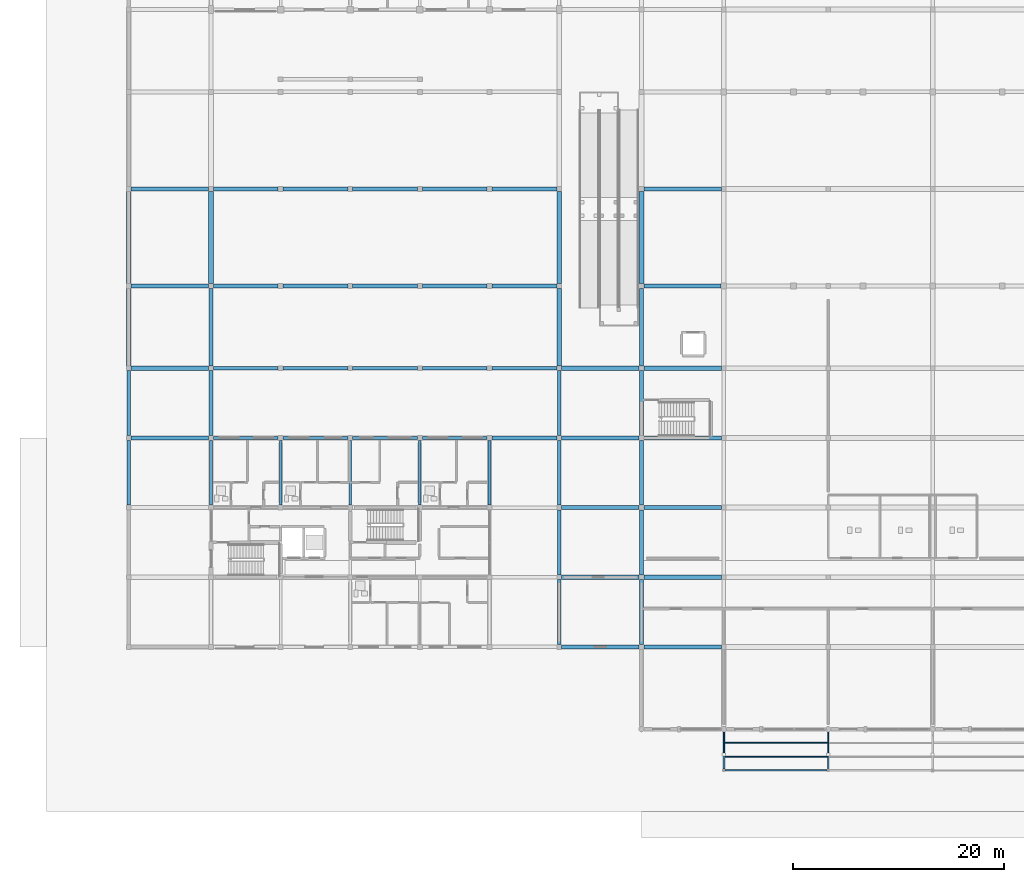
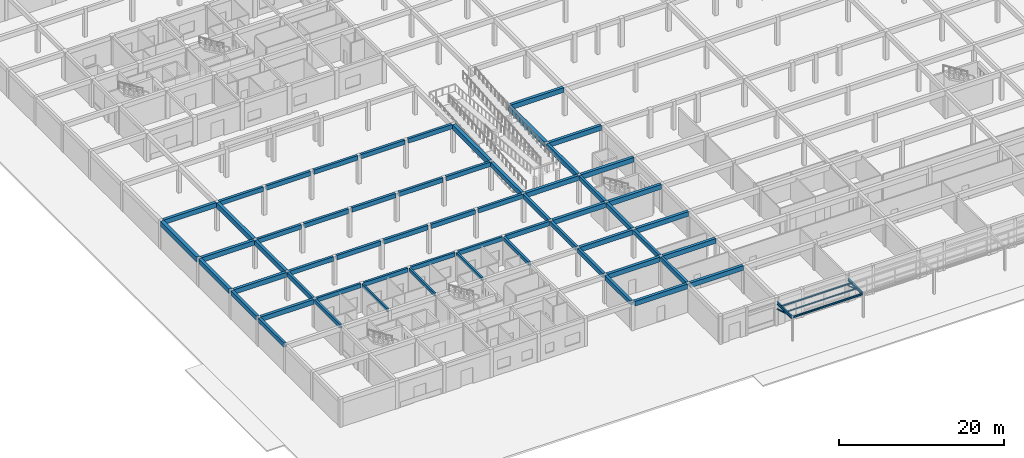
# One storey, part 16 of 75: 63 beams, 4 members.
"""IFC4 building model written with IfcOpenShell, lengths in metres."""

from ifc_helpers import new_model, si_unit, direction, frame, origin, origin_2d, place, context, subcontext, project, spatial, rectangle, hollow_circle, i_section, extrude, material, material_profile, profile_set, type_object, element, save


model = new_model("IFC4")

# Units and contexts
model_context = context("Model", 3, precision=1e-05, world=origin(), true_north=direction((0.0, 1.0)))
body_context = subcontext(model_context, "Body", "Model", "MODEL_VIEW")
ifc_project = project(units=[si_unit("LENGTHUNIT", "METRE"), si_unit("AREAUNIT", "SQUARE_METRE"), si_unit("VOLUMEUNIT", "CUBIC_METRE"), si_unit("PLANEANGLEUNIT", "RADIAN"), si_unit("MASSUNIT", "GRAM", prefix="KILO")], contexts=[model_context])

# Site, building, storey
site_placement = place(None, origin())
site = spatial("IfcSite", under=ifc_project, at=site_placement, CompositionType="ELEMENT")
building_placement = place(site_placement, origin())
building = spatial("IfcBuilding", under=site, at=building_placement, Name="Kernevlak Ridge Housing Community", CompositionType="ELEMENT")
storey_placement = place(building_placement, origin())
storey = spatial("IfcBuildingStorey", under=building, at=storey_placement, Name="L00", CompositionType="ELEMENT", Elevation=0.0)

# Beams
ifc_material_1 = material(Name="Concrete C35/45", Category="concrete")
ifc_material_profile_1 = material_profile(ifc_material_1, rectangle(XDim=0.39990234375, YDim=0.699951171875, at=origin_2d()), Name="RC 400x700")
ifc_profile_set_1 = profile_set([ifc_material_profile_1], Name="Concrete C35/45")
beam_type_1 = type_object("IfcBeamType", Name="B-01", PredefinedType="BEAM", material=ifc_profile_set_1)
for number, where, z_axis, x_axis, name in (
    (1, (48.824951171875, 15.60009765625, 3.85009765625), (1.0, 0.0, 0.0), (0.0, 1.0, 0.0), "Beam B-01 L00 2055"),
    (2, (56.625, 15.60009765625, 3.85009765625), (1.0, 0.0, 0.0), (0.0, 1.0, 0.0), "Beam B-01 L00 2056"),
    (3, (48.824951171875, 22.199951171875, 3.85009765625), (1.0, 0.0, 0.0), (0.0, 1.0, 0.0), "Beam B-01 L00 2068"),
    (4, (56.625, 22.199951171875, 3.85009765625), (1.0, 0.0, 0.0), (0.0, 1.0, 0.0), "Beam B-01 L00 2069"),
    (5, (48.824951171875, 28.800048828125, 3.85009765625), (1.0, 0.0, 0.0), (0.0, 1.0, 0.0), "Beam B-01 L00 2081"),
    (6, (56.625, 28.800048828125, 3.85009765625), (1.0, 0.0, 0.0), (0.0, 1.0, 0.0), "Beam B-01 L00 2082"),
    (7, (8.02490234375, 35.39990234375, 3.85009765625), (1.0, 0.0, 0.0), (0.0, 1.0, 0.0), "Beam B-01 L00 2092"),
    (8, (48.824951171875, 35.39990234375, 3.85009765625), (1.0, 0.0, 0.0), (0.0, 1.0, 0.0), "Beam B-01 L00 2094"),
    (9, (56.625, 35.39990234375, 3.85009765625), (1.0, 0.0, 0.0), (0.0, 1.0, 0.0), "Beam B-01 L00 2095"),
    (10, (8.02490234375, 42.0, 3.85009765625), (1.0, 0.0, 0.0), (0.0, 1.0, 0.0), "Beam B-01 L00 2105"),
    (11, (48.824951171875, 42.0, 3.85009765625), (1.0, 0.0, 0.0), (0.0, 1.0, 0.0), "Beam B-01 L00 2111"),
    (12, (56.625, 42.0, 3.85009765625), (1.0, 0.0, 0.0), (0.0, 1.0, 0.0), "Beam B-01 L00 2112"),
    (13, (8.02490234375, 49.800048828125, 3.85009765625), (1.0, 0.0, 0.0), (0.0, 1.0, 0.0), "Beam B-01 L00 2122"),
):
    element("IfcBeam", number, at=place(storey_placement, frame(where, z_axis=z_axis, x_axis=x_axis)), inside=storey, type_object=beam_type_1, Name=name, PredefinedType="BEAM", context=body_context, shape_type="SweptSolid", body=[
        extrude(rectangle(XDim=0.39990234375, YDim=0.699951171875, at=origin_2d()), origin(), (0.0, 0.0, 1.0), 7.35009765625),
    ])
beam_1_placement = place(storey_placement, frame((56.625, 49.800048828125, 3.85009765625), z_axis=(1.0, 0.0, 0.0), x_axis=(0.0, 1.0, 0.0)))
element("IfcBeam", 14, at=beam_1_placement, inside=storey, type_object=beam_type_1, Name="Beam B-01 L00 2128", PredefinedType="BEAM", context=body_context, shape_type="SweptSolid", body=[
    extrude(rectangle(XDim=0.39990234375, YDim=0.699951171875, at=origin_2d()), origin(), (0.0, 0.0, 1.0), 7.300048828125),
])
for number, where, z_axis, x_axis, name in (
    (15, (8.02490234375, 59.0, 3.85009765625), (1.0, 0.0, 0.0), (0.0, 1.0, 0.0), "Beam B-01 L00 2145"),
    (16, (56.625, 59.0, 3.85009765625), (1.0, 0.0, 0.0), (0.0, 1.0, 0.0), "Beam B-01 L00 2151"),
):
    element("IfcBeam", number, at=place(storey_placement, frame(where, z_axis=z_axis, x_axis=x_axis)), inside=storey, type_object=beam_type_1, Name=name, PredefinedType="BEAM", context=body_context, shape_type="SweptSolid", body=[
        extrude(rectangle(XDim=0.39990234375, YDim=0.699951171875, at=origin_2d()), origin(), (0.0, 0.0, 1.0), 7.35009765625),
    ])
for number, where, z_axis, x_axis, name in (
    (17, (7.800048828125, 42.22509765625, 3.85009765625), (0.0, 1.0, 0.0), (-1.0, 0.0, 0.0), "Beam B-01 L00 2273"),
    (18, (15.60009765625, 42.22509765625, 3.85009765625), (0.0, 1.0, 0.0), (-1.0, 0.0, 0.0), "Beam B-01 L00 2283"),
    (19, (48.60009765625, 42.22509765625, 3.85009765625), (0.0, 1.0, 0.0), (-1.0, 0.0, 0.0), "Beam B-01 L00 2293"),
    (20, (56.39990234375, 42.22509765625, 3.85009765625), (0.0, 1.0, 0.0), (-1.0, 0.0, 0.0), "Beam B-01 L00 2304"),
):
    element("IfcBeam", number, at=place(storey_placement, frame(where, z_axis=z_axis, x_axis=x_axis)), inside=storey, type_object=beam_type_1, Name=name, PredefinedType="BEAM", context=body_context, shape_type="SweptSolid", body=[
        extrude(rectangle(XDim=0.39990234375, YDim=0.699951171875, at=origin_2d()), origin(), (0.0, 0.0, 1.0), 7.349853515625),
    ])
ifc_material_profile_2 = material_profile(ifc_material_1, rectangle(XDim=0.35009765625, YDim=0.64990234375, at=origin_2d()), Name="RC 350x650")
ifc_profile_set_2 = profile_set([ifc_material_profile_2], Name="Concrete C35/45")
beam_type_2 = type_object("IfcBeamType", Name="B-02", PredefinedType="BEAM", material=ifc_profile_set_2)
beam_2_placement = place(storey_placement, frame((42.22509765625, 35.39990234375, 3.875), z_axis=(1.0, 0.0, 0.0), x_axis=(0.0, 1.0, 0.0)))
element("IfcBeam", 21, at=beam_2_placement, inside=storey, type_object=beam_type_2, Name="Beam B-02 L00 2093", PredefinedType="BEAM", context=body_context, shape_type="SweptSolid", body=[
    extrude(rectangle(XDim=0.35009765625, YDim=0.64990234375, at=origin_2d()), origin(), (0.0, 0.0, 1.0), 6.14990234375),
])
beam_3_placement = place(storey_placement, frame((15.824951171875, 42.0, 3.875), z_axis=(1.0, 0.0, 0.0), x_axis=(0.0, 1.0, 0.0)))
element("IfcBeam", 22, at=beam_3_placement, inside=storey, type_object=beam_type_2, Name="Beam B-02 L00 2106", PredefinedType="BEAM", context=body_context, shape_type="SweptSolid", body=[
    extrude(rectangle(XDim=0.35009765625, YDim=0.64990234375, at=origin_2d()), origin(), (0.0, 0.0, 1.0), 6.150146484375),
])
beam_4_placement = place(storey_placement, frame((22.425048828125, 42.0, 3.875), z_axis=(1.0, 0.0, 0.0), x_axis=(0.0, 1.0, 0.0)))
element("IfcBeam", 23, at=beam_4_placement, inside=storey, type_object=beam_type_2, Name="Beam B-02 L00 2107", PredefinedType="BEAM", context=body_context, shape_type="SweptSolid", body=[
    extrude(rectangle(XDim=0.35009765625, YDim=0.64990234375, at=origin_2d()), origin(), (0.0, 0.0, 1.0), 6.14990234375),
])
beam_5_placement = place(storey_placement, frame((29.02490234375, 42.0, 3.875), z_axis=(1.0, 0.0, 0.0), x_axis=(0.0, 1.0, 0.0)))
element("IfcBeam", 24, at=beam_5_placement, inside=storey, type_object=beam_type_2, Name="Beam B-02 L00 2108", PredefinedType="BEAM", context=body_context, shape_type="SweptSolid", body=[
    extrude(rectangle(XDim=0.35009765625, YDim=0.64990234375, at=origin_2d()), origin(), (0.0, 0.0, 1.0), 6.150146484375),
])
for number, where, z_axis, x_axis, name in (
    (25, (35.625, 42.0, 3.875), (1.0, 0.0, 0.0), (0.0, 1.0, 0.0), "Beam B-02 L00 2109"),
    (26, (42.22509765625, 42.0, 3.875), (1.0, 0.0, 0.0), (0.0, 1.0, 0.0), "Beam B-02 L00 2110"),
):
    element("IfcBeam", number, at=place(storey_placement, frame(where, z_axis=z_axis, x_axis=x_axis)), inside=storey, type_object=beam_type_2, Name=name, PredefinedType="BEAM", context=body_context, shape_type="SweptSolid", body=[
        extrude(rectangle(XDim=0.35009765625, YDim=0.64990234375, at=origin_2d()), origin(), (0.0, 0.0, 1.0), 6.14990234375),
    ])
beam_6_placement = place(storey_placement, frame((15.824951171875, 49.800048828125, 3.875), z_axis=(1.0, 0.0, 0.0), x_axis=(0.0, 1.0, 0.0)))
element("IfcBeam", 27, at=beam_6_placement, inside=storey, type_object=beam_type_2, Name="Beam B-02 L00 2123", PredefinedType="BEAM", context=body_context, shape_type="SweptSolid", body=[
    extrude(rectangle(XDim=0.35009765625, YDim=0.64990234375, at=origin_2d()), origin(), (0.0, 0.0, 1.0), 6.150146484375),
])
beam_7_placement = place(storey_placement, frame((22.425048828125, 49.800048828125, 3.875), z_axis=(1.0, 0.0, 0.0), x_axis=(0.0, 1.0, 0.0)))
element("IfcBeam", 28, at=beam_7_placement, inside=storey, type_object=beam_type_2, Name="Beam B-02 L00 2124", PredefinedType="BEAM", context=body_context, shape_type="SweptSolid", body=[
    extrude(rectangle(XDim=0.35009765625, YDim=0.64990234375, at=origin_2d()), origin(), (0.0, 0.0, 1.0), 6.14990234375),
])
beam_8_placement = place(storey_placement, frame((29.02490234375, 49.800048828125, 3.875), z_axis=(1.0, 0.0, 0.0), x_axis=(0.0, 1.0, 0.0)))
element("IfcBeam", 29, at=beam_8_placement, inside=storey, type_object=beam_type_2, Name="Beam B-02 L00 2125", PredefinedType="BEAM", context=body_context, shape_type="SweptSolid", body=[
    extrude(rectangle(XDim=0.35009765625, YDim=0.64990234375, at=origin_2d()), origin(), (0.0, 0.0, 1.0), 6.150146484375),
])
for number, where, z_axis, x_axis, name in (
    (30, (35.625, 49.800048828125, 3.875), (1.0, 0.0, 0.0), (0.0, 1.0, 0.0), "Beam B-02 L00 2126"),
    (31, (42.22509765625, 49.800048828125, 3.875), (1.0, 0.0, 0.0), (0.0, 1.0, 0.0), "Beam B-02 L00 2127"),
):
    element("IfcBeam", number, at=place(storey_placement, frame(where, z_axis=z_axis, x_axis=x_axis)), inside=storey, type_object=beam_type_2, Name=name, PredefinedType="BEAM", context=body_context, shape_type="SweptSolid", body=[
        extrude(rectangle(XDim=0.35009765625, YDim=0.64990234375, at=origin_2d()), origin(), (0.0, 0.0, 1.0), 6.14990234375),
    ])
beam_9_placement = place(storey_placement, frame((15.824951171875, 59.0, 3.875), z_axis=(1.0, 0.0, 0.0), x_axis=(0.0, 1.0, 0.0)))
element("IfcBeam", 32, at=beam_9_placement, inside=storey, type_object=beam_type_2, Name="Beam B-02 L00 2146", PredefinedType="BEAM", context=body_context, shape_type="SweptSolid", body=[
    extrude(rectangle(XDim=0.35009765625, YDim=0.64990234375, at=origin_2d()), origin(), (0.0, 0.0, 1.0), 6.150146484375),
])
beam_10_placement = place(storey_placement, frame((22.425048828125, 59.0, 3.875), z_axis=(1.0, 0.0, 0.0), x_axis=(0.0, 1.0, 0.0)))
element("IfcBeam", 33, at=beam_10_placement, inside=storey, type_object=beam_type_2, Name="Beam B-02 L00 2147", PredefinedType="BEAM", context=body_context, shape_type="SweptSolid", body=[
    extrude(rectangle(XDim=0.35009765625, YDim=0.64990234375, at=origin_2d()), origin(), (0.0, 0.0, 1.0), 6.14990234375),
])
beam_11_placement = place(storey_placement, frame((29.02490234375, 59.0, 3.875), z_axis=(1.0, 0.0, 0.0), x_axis=(0.0, 1.0, 0.0)))
element("IfcBeam", 34, at=beam_11_placement, inside=storey, type_object=beam_type_2, Name="Beam B-02 L00 2148", PredefinedType="BEAM", context=body_context, shape_type="SweptSolid", body=[
    extrude(rectangle(XDim=0.35009765625, YDim=0.64990234375, at=origin_2d()), origin(), (0.0, 0.0, 1.0), 6.150146484375),
])
for number, where, z_axis, x_axis, name in (
    (35, (35.625, 59.0, 3.875), (1.0, 0.0, 0.0), (0.0, 1.0, 0.0), "Beam B-02 L00 2149"),
    (36, (42.22509765625, 59.0, 3.875), (1.0, 0.0, 0.0), (0.0, 1.0, 0.0), "Beam B-02 L00 2150"),
):
    element("IfcBeam", number, at=place(storey_placement, frame(where, z_axis=z_axis, x_axis=x_axis)), inside=storey, type_object=beam_type_2, Name=name, PredefinedType="BEAM", context=body_context, shape_type="SweptSolid", body=[
        extrude(rectangle(XDim=0.35009765625, YDim=0.64990234375, at=origin_2d()), origin(), (0.0, 0.0, 1.0), 6.14990234375),
    ])
beam_12_placement = place(storey_placement, frame((7.800048828125, 29.02490234375, 3.875), z_axis=(0.0, 1.0, 0.0), x_axis=(-1.0, 0.0, 0.0)))
element("IfcBeam", 37, at=beam_12_placement, inside=storey, type_object=beam_type_2, Name="Beam B-02 L00 2271", PredefinedType="BEAM", context=body_context, shape_type="SweptSolid", body=[
    extrude(rectangle(XDim=0.35009765625, YDim=0.64990234375, at=origin_2d()), origin(), (0.0, 0.0, 1.0), 6.150146484375),
])
for number, where, z_axis, x_axis, name in (
    (38, (7.800048828125, 35.625, 3.875), (0.0, 1.0, 0.0), (-1.0, 0.0, 0.0), "Beam B-02 L00 2272"),
    (39, (15.60009765625, 35.625, 3.875), (0.0, 1.0, 0.0), (-1.0, 0.0, 0.0), "Beam B-02 L00 2282"),
):
    element("IfcBeam", number, at=place(storey_placement, frame(where, z_axis=z_axis, x_axis=x_axis)), inside=storey, type_object=beam_type_2, Name=name, PredefinedType="BEAM", context=body_context, shape_type="SweptSolid", body=[
        extrude(rectangle(XDim=0.35009765625, YDim=0.64990234375, at=origin_2d()), origin(), (0.0, 0.0, 1.0), 6.14990234375),
    ])
beam_13_placement = place(storey_placement, frame((48.60009765625, 15.824951171875, 3.875), z_axis=(0.0, 1.0, 0.0), x_axis=(-1.0, 0.0, 0.0)))
element("IfcBeam", 40, at=beam_13_placement, inside=storey, type_object=beam_type_2, Name="Beam B-02 L00 2289", PredefinedType="BEAM", context=body_context, shape_type="SweptSolid", body=[
    extrude(rectangle(XDim=0.35009765625, YDim=0.64990234375, at=origin_2d()), origin(), (0.0, 0.0, 1.0), 6.150146484375),
])
beam_14_placement = place(storey_placement, frame((48.60009765625, 22.425048828125, 3.875), z_axis=(0.0, 1.0, 0.0), x_axis=(-1.0, 0.0, 0.0)))
element("IfcBeam", 41, at=beam_14_placement, inside=storey, type_object=beam_type_2, Name="Beam B-02 L00 2290", PredefinedType="BEAM", context=body_context, shape_type="SweptSolid", body=[
    extrude(rectangle(XDim=0.35009765625, YDim=0.64990234375, at=origin_2d()), origin(), (0.0, 0.0, 1.0), 6.14990234375),
])
beam_15_placement = place(storey_placement, frame((48.60009765625, 29.02490234375, 3.875), z_axis=(0.0, 1.0, 0.0), x_axis=(-1.0, 0.0, 0.0)))
element("IfcBeam", 42, at=beam_15_placement, inside=storey, type_object=beam_type_2, Name="Beam B-02 L00 2291", PredefinedType="BEAM", context=body_context, shape_type="SweptSolid", body=[
    extrude(rectangle(XDim=0.35009765625, YDim=0.64990234375, at=origin_2d()), origin(), (0.0, 0.0, 1.0), 6.150146484375),
])
beam_16_placement = place(storey_placement, frame((48.60009765625, 35.625, 3.875), z_axis=(0.0, 1.0, 0.0), x_axis=(-1.0, 0.0, 0.0)))
element("IfcBeam", 43, at=beam_16_placement, inside=storey, type_object=beam_type_2, Name="Beam B-02 L00 2292", PredefinedType="BEAM", context=body_context, shape_type="SweptSolid", body=[
    extrude(rectangle(XDim=0.35009765625, YDim=0.64990234375, at=origin_2d()), origin(), (0.0, 0.0, 1.0), 6.14990234375),
])
beam_17_placement = place(storey_placement, frame((56.39990234375, 15.824951171875, 3.875), z_axis=(0.0, 1.0, 0.0), x_axis=(-1.0, 0.0, 0.0)))
element("IfcBeam", 44, at=beam_17_placement, inside=storey, type_object=beam_type_2, Name="Beam B-02 L00 2300", PredefinedType="BEAM", context=body_context, shape_type="SweptSolid", body=[
    extrude(rectangle(XDim=0.35009765625, YDim=0.64990234375, at=origin_2d()), origin(), (0.0, 0.0, 1.0), 6.150146484375),
])
beam_18_placement = place(storey_placement, frame((56.39990234375, 22.425048828125, 3.875), z_axis=(0.0, 1.0, 0.0), x_axis=(-1.0, 0.0, 0.0)))
element("IfcBeam", 45, at=beam_18_placement, inside=storey, type_object=beam_type_2, Name="Beam B-02 L00 2301", PredefinedType="BEAM", context=body_context, shape_type="SweptSolid", body=[
    extrude(rectangle(XDim=0.35009765625, YDim=0.64990234375, at=origin_2d()), origin(), (0.0, 0.0, 1.0), 6.14990234375),
])
beam_19_placement = place(storey_placement, frame((56.39990234375, 29.02490234375, 3.875), z_axis=(0.0, 1.0, 0.0), x_axis=(-1.0, 0.0, 0.0)))
element("IfcBeam", 46, at=beam_19_placement, inside=storey, type_object=beam_type_2, Name="Beam B-02 L00 2302", PredefinedType="BEAM", context=body_context, shape_type="SweptSolid", body=[
    extrude(rectangle(XDim=0.35009765625, YDim=0.64990234375, at=origin_2d()), origin(), (0.0, 0.0, 1.0), 6.150146484375),
])
beam_20_placement = place(storey_placement, frame((56.39990234375, 35.625, 3.875), z_axis=(0.0, 1.0, 0.0), x_axis=(-1.0, 0.0, 0.0)))
element("IfcBeam", 47, at=beam_20_placement, inside=storey, type_object=beam_type_2, Name="Beam B-02 L00 2303", PredefinedType="BEAM", context=body_context, shape_type="SweptSolid", body=[
    extrude(rectangle(XDim=0.35009765625, YDim=0.64990234375, at=origin_2d()), origin(), (0.0, 0.0, 1.0), 6.14990234375),
])
ifc_material_profile_3 = material_profile(ifc_material_1, rectangle(XDim=0.25, YDim=0.449951171875, at=origin_2d()), Name="RC 250x450")
ifc_profile_set_3 = profile_set([ifc_material_profile_3], Name="Concrete C35/45")
beam_type_3 = type_object("IfcBeamType", Name="B-04", PredefinedType="T_BEAM", material=ifc_profile_set_3)
for number, where, z_axis, x_axis, name in (
    (48, (22.199951171875, 29.02490234375, 3.97509765625), (0.0, 1.0, 0.0), (-1.0, 0.0, 0.0), "Beam B-04 L00 1328"),
    (49, (28.800048828125, 29.02490234375, 3.97509765625), (0.0, 1.0, 0.0), (-1.0, 0.0, 0.0), "Beam B-04 L00 1331"),
    (50, (35.39990234375, 29.02490234375, 3.97509765625), (0.0, 1.0, 0.0), (-1.0, 0.0, 0.0), "Beam B-04 L00 1333"),
):
    element("IfcBeam", number, at=place(storey_placement, frame(where, z_axis=z_axis, x_axis=x_axis)), inside=storey, type_object=beam_type_3, Name=name, PredefinedType="T_BEAM", context=body_context, shape_type="SweptSolid", body=[
        extrude(rectangle(XDim=0.25, YDim=0.449951171875, at=origin_2d()), origin(), (0.0, 0.0, 1.0), 6.150146484375),
    ])
ifc_material_profile_4 = material_profile(ifc_material_1, rectangle(XDim=0.449951171875, YDim=0.75, at=origin_2d()), Name="RC 450x750")
ifc_profile_set_4 = profile_set([ifc_material_profile_4], Name="Concrete C35/45")
beam_type_4 = type_object("IfcBeamType", Name="B-05", PredefinedType="BEAM", material=ifc_profile_set_4)
for number, where, z_axis, x_axis, name in (
    (51, (7.800048828125, 50.02490234375, 3.824951171875), (0.0, 1.0, 0.0), (-1.0, 0.0, 0.0), "Beam B-05 L00 2274"),
    (52, (15.60009765625, 50.02490234375, 3.824951171875), (0.0, 1.0, 0.0), (-1.0, 0.0, 0.0), "Beam B-05 L00 2284"),
    (53, (48.60009765625, 50.02490234375, 3.824951171875), (0.0, 1.0, 0.0), (-1.0, 0.0, 0.0), "Beam B-05 L00 2294"),
    (54, (56.39990234375, 50.02490234375, 3.824951171875), (0.0, 1.0, 0.0), (-1.0, 0.0, 0.0), "Beam B-05 L00 2305"),
):
    element("IfcBeam", number, at=place(storey_placement, frame(where, z_axis=z_axis, x_axis=x_axis)), inside=storey, type_object=beam_type_4, Name=name, PredefinedType="BEAM", context=body_context, shape_type="SweptSolid", body=[
        extrude(rectangle(XDim=0.449951171875, YDim=0.75, at=origin_2d()), origin(), (0.0, 0.0, 1.0), 8.75),
    ])

# Members
ifc_material_2 = material(Name="Steel S355", Category="steel")
ifc_material_profile_5 = material_profile(ifc_material_2, i_section(OverallWidth=0.091064453125, OverallDepth=0.179931640625, WebThickness=0.00537109375, FlangeThickness=0.008056640625, FilletRadius=0.009033203125, at=origin_2d()), Name="IPE 180")
ifc_profile_set_5 = profile_set([ifc_material_profile_5], Name="Steel S355")
member_type_1 = type_object("IfcMemberType", Name="PU-02", PredefinedType="PURLIN", material=ifc_profile_set_5)
member_1_placement = place(storey_placement, frame((64.260009765625, 5.199951171875, 3.530029296875), z_axis=(1.0, 0.0, 0.0), x_axis=(0.0, 1.0, 0.0)))
element("IfcMember", 55, at=member_1_placement, inside=storey, type_object=member_type_1, Name="Canopy steel purlin PU-02 1.1", PredefinedType="PURLIN", context=body_context, shape_type="SweptSolid", body=[
    extrude(i_section(OverallWidth=0.091064453125, OverallDepth=0.179931640625, WebThickness=0.00537109375, FlangeThickness=0.008056640625, FilletRadius=0.009033203125, at=origin_2d()), origin(), (0.0, 0.0, 1.0), 9.780029296875),
])
ifc_material_profile_6 = material_profile(ifc_material_2, i_section(OverallWidth=0.08203125, OverallDepth=0.159912109375, WebThickness=0.0048828125, FlangeThickness=0.00732421875, FilletRadius=0.009033203125, at=origin_2d()), Name="IPE 160")
ifc_profile_set_6 = profile_set([ifc_material_profile_6], Name="Steel S355")
member_type_2 = type_object("IfcMemberType", Name="PU-03", PredefinedType="PURLIN", material=ifc_profile_set_6)
member_2_placement = place(storey_placement, frame((64.260009765625, 6.5, 3.5400390625), z_axis=(1.0, 0.0, 0.0), x_axis=(0.0, 1.0, 0.0)))
element("IfcMember", 56, at=member_2_placement, inside=storey, type_object=member_type_2, Name="Canopy steel purlin PU-03 1.2", PredefinedType="PURLIN", context=body_context, shape_type="SweptSolid", body=[
    extrude(i_section(OverallWidth=0.08203125, OverallDepth=0.159912109375, WebThickness=0.0048828125, FlangeThickness=0.00732421875, FilletRadius=0.009033203125, at=origin_2d()), origin(), (0.0, 0.0, 1.0), 9.780029296875),
])

# Beams
ifc_material_profile_7 = material_profile(ifc_material_2, i_section(OverallWidth=0.18994140625, OverallDepth=0.449951171875, WebThickness=0.009521484375, FlangeThickness=0.0146484375, FilletRadius=0.02099609375, at=origin_2d()), Name="IPE 450")
ifc_profile_set_7 = profile_set([ifc_material_profile_7], Name="Steel S355")
beam_type_5 = type_object("IfcBeamType", Name="SB-01", PredefinedType="BEAM", material=ifc_profile_set_7)
beam_21_placement = place(storey_placement, frame((64.199951171875, 4.009521484375, 3.39501953125), z_axis=(0.0, 1.0, 0.0), x_axis=(-1.0, 0.0, 0.0)))
element("IfcBeam", 57, at=beam_21_placement, inside=storey, type_object=beam_type_5, Name="Canopy transverse steel beam SB-01 1", PredefinedType="BEAM", context=body_context, shape_type="SweptSolid", body=[
    extrude(i_section(OverallWidth=0.18994140625, OverallDepth=0.449951171875, WebThickness=0.009521484375, FlangeThickness=0.0146484375, FilletRadius=0.02099609375, at=origin_2d()), origin(), (0.0, 0.0, 1.0), 3.54052734375),
])
ifc_material_profile_8 = material_profile(ifc_material_2, i_section(OverallWidth=0.179931640625, OverallDepth=0.39990234375, WebThickness=0.008544921875, FlangeThickness=0.013427734375, FilletRadius=0.02099609375, at=origin_2d()), Name="IPE 400")
ifc_profile_set_8 = profile_set([ifc_material_profile_8], Name="Steel S355")
beam_type_6 = type_object("IfcBeamType", Name="SB-02", PredefinedType="BEAM", material=ifc_profile_set_8)
beam_22_placement = place(storey_placement, frame((74.10009765625, 4.0, 3.419921875), z_axis=(0.0, 1.0, 0.0), x_axis=(-1.0, 0.0, 0.0)))
element("IfcBeam", 58, at=beam_22_placement, inside=storey, type_object=beam_type_6, Name="Canopy transverse steel beam SB-02 2", PredefinedType="BEAM", context=body_context, shape_type="SweptSolid", body=[
    extrude(i_section(OverallWidth=0.179931640625, OverallDepth=0.39990234375, WebThickness=0.008544921875, FlangeThickness=0.013427734375, FilletRadius=0.02099609375, at=origin_2d()), origin(), (0.0, 0.0, 1.0), 3.550048828125),
])
ifc_material_profile_9 = material_profile(ifc_material_2, i_section(OverallWidth=0.135009765625, OverallDepth=0.27001953125, WebThickness=0.006591796875, FlangeThickness=0.01025390625, FilletRadius=0.014892578125, at=origin_2d()), Name="IPE 270")
ifc_profile_set_9 = profile_set([ifc_material_profile_9], Name="Steel S355")
beam_type_7 = type_object("IfcBeamType", Name="SB-06", PredefinedType="BEAM", material=ifc_profile_set_9)
beam_23_placement = place(storey_placement, frame((64.3095703125, 3.89990234375, 3.485107421875), z_axis=(1.0, 0.0, 0.0), x_axis=(0.0, 1.0, 0.0)))
element("IfcBeam", 59, at=beam_23_placement, inside=storey, type_object=beam_type_7, Name="Beam SB-06 L00 2472", PredefinedType="BEAM", context=body_context, shape_type="SweptSolid", body=[
    extrude(i_section(OverallWidth=0.135009765625, OverallDepth=0.27001953125, WebThickness=0.006591796875, FlangeThickness=0.01025390625, FilletRadius=0.014892578125, at=origin_2d()), origin(), (0.0, 0.0, 1.0), 9.6904296875),
])
ifc_material_profile_10 = material_profile(ifc_material_1, rectangle(XDim=0.300048828125, YDim=0.550048828125, at=origin_2d()), Name="RC 300x550")
ifc_profile_set_10 = profile_set([ifc_material_profile_10], Name="Concrete C35/45")
beam_type_8 = type_object("IfcBeamType", Name="SP-01", PredefinedType="SPANDREL", material=ifc_profile_set_10)
for number, where, z_axis, x_axis, name in (
    (60, (15.60009765625, 29.02490234375, 3.925048828125), (0.0, 1.0, 0.0), (-1.0, 0.0, 0.0), "Beam SP-01 L00 1326"),
    (61, (42.0, 29.02490234375, 3.925048828125), (0.0, 1.0, 0.0), (-1.0, 0.0, 0.0), "Beam SP-01 L00 1336"),
):
    element("IfcBeam", number, at=place(storey_placement, frame(where, z_axis=z_axis, x_axis=x_axis)), inside=storey, type_object=beam_type_8, Name=name, PredefinedType="SPANDREL", context=body_context, shape_type="SweptSolid", body=[
        extrude(rectangle(XDim=0.300048828125, YDim=0.550048828125, at=origin_2d()), origin(), (0.0, 0.0, 1.0), 6.150146484375),
    ])
ifc_material_profile_11 = material_profile(ifc_material_1, rectangle(XDim=0.300048828125, YDim=0.60009765625, at=origin_2d()), Name="RC 300x600")
ifc_profile_set_11 = profile_set([ifc_material_profile_11], Name="Concrete C35/45")
beam_type_9 = type_object("IfcBeamType", Name="SP-02", PredefinedType="SPANDREL", material=ifc_profile_set_11)
beam_24_placement = place(storey_placement, frame((15.824951171875, 35.39990234375, 3.89990234375), z_axis=(1.0, 0.0, 0.0), x_axis=(0.0, 1.0, 0.0)))
element("IfcBeam", 62, at=beam_24_placement, inside=storey, type_object=beam_type_9, Name="Beam SP-02 L00 1320", PredefinedType="SPANDREL", context=body_context, shape_type="SweptSolid", body=[
    extrude(rectangle(XDim=0.300048828125, YDim=0.60009765625, at=origin_2d()), origin(), (0.0, 0.0, 1.0), 6.150146484375),
])
beam_25_placement = place(storey_placement, frame((22.425048828125, 35.39990234375, 3.89990234375), z_axis=(1.0, 0.0, 0.0), x_axis=(0.0, 1.0, 0.0)))
element("IfcBeam", 63, at=beam_25_placement, inside=storey, type_object=beam_type_9, Name="Beam SP-02 L00 1321", PredefinedType="SPANDREL", context=body_context, shape_type="SweptSolid", body=[
    extrude(rectangle(XDim=0.300048828125, YDim=0.60009765625, at=origin_2d()), origin(), (0.0, 0.0, 1.0), 6.14990234375),
])
beam_26_placement = place(storey_placement, frame((29.02490234375, 35.39990234375, 3.89990234375), z_axis=(1.0, 0.0, 0.0), x_axis=(0.0, 1.0, 0.0)))
element("IfcBeam", 64, at=beam_26_placement, inside=storey, type_object=beam_type_9, Name="Beam SP-02 L00 1322", PredefinedType="SPANDREL", context=body_context, shape_type="SweptSolid", body=[
    extrude(rectangle(XDim=0.300048828125, YDim=0.60009765625, at=origin_2d()), origin(), (0.0, 0.0, 1.0), 6.150146484375),
])
beam_27_placement = place(storey_placement, frame((35.625, 35.39990234375, 3.89990234375), z_axis=(1.0, 0.0, 0.0), x_axis=(0.0, 1.0, 0.0)))
element("IfcBeam", 65, at=beam_27_placement, inside=storey, type_object=beam_type_9, Name="Beam SP-02 L00 1323", PredefinedType="SPANDREL", context=body_context, shape_type="SweptSolid", body=[
    extrude(rectangle(XDim=0.300048828125, YDim=0.60009765625, at=origin_2d()), origin(), (0.0, 0.0, 1.0), 6.14990234375),
])

# Members
ifc_material_profile_12 = material_profile(ifc_material_2, hollow_circle(Radius=0.05712890625, WallThickness=0.00634765625, at=origin_2d()), Name="CHS 114.3x6.3")
ifc_profile_set_12 = profile_set([ifc_material_profile_12], Name="Steel S355")
member_type_3 = type_object("IfcMemberType", Name="ST-01", PredefinedType="STRUT", material=ifc_profile_set_12)
member_3_placement = place(storey_placement, frame((64.199951171875, 7.550048828125, 2.5), z_axis=(0.0, -0.963302915493, 0.268416640697), x_axis=(1.0, 0.0, 0.0)))
element("IfcMember", 66, at=member_3_placement, inside=storey, type_object=member_type_3, Name="Canopy diagonal tie strut ST-01 1", PredefinedType="STRUT", context=body_context, shape_type="SweptSolid", body=[
    extrude(hollow_circle(Radius=0.05712890625, WallThickness=0.00634765625, at=origin_2d()), origin(), (0.0, 0.0, 1.0), 2.232177734375),
])
ifc_material_profile_13 = material_profile(ifc_material_2, hollow_circle(Radius=0.04443359375, WallThickness=0.0048828125, at=origin_2d()), Name="CHS 88.9x5")
ifc_profile_set_13 = profile_set([ifc_material_profile_13], Name="Steel S355")
member_type_4 = type_object("IfcMemberType", Name="ST-02", PredefinedType="STRUT", material=ifc_profile_set_13)
member_4_placement = place(storey_placement, frame((74.10009765625, 7.550048828125, 2.5), z_axis=(0.0, -0.955713287815, 0.294299356938), x_axis=(1.0, 0.0, 0.0)))
element("IfcMember", 67, at=member_4_placement, inside=storey, type_object=member_type_4, Name="Canopy diagonal tie strut ST-02 2", PredefinedType="STRUT", context=body_context, shape_type="SweptSolid", body=[
    extrude(hollow_circle(Radius=0.04443359375, WallThickness=0.0048828125, at=origin_2d()), origin(), (0.0, 0.0, 1.0), 2.249755859375),
])

save(model, "model.ifc")
